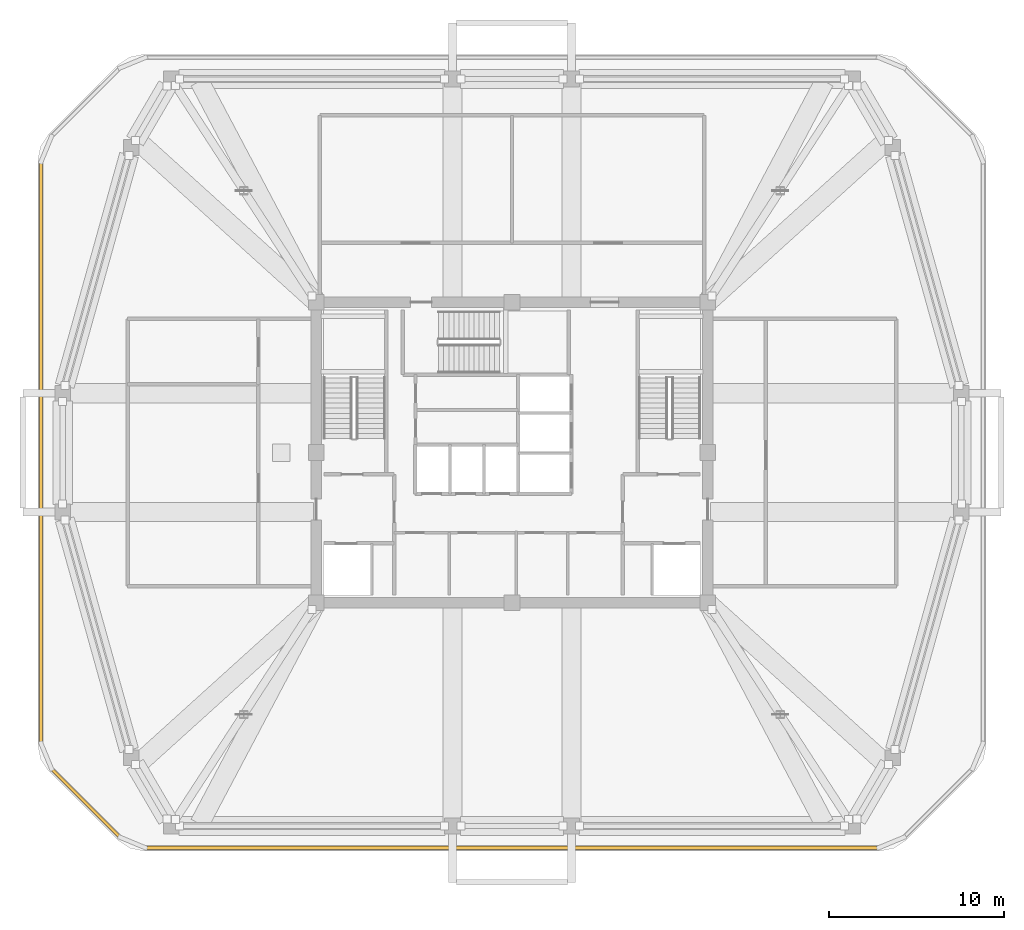
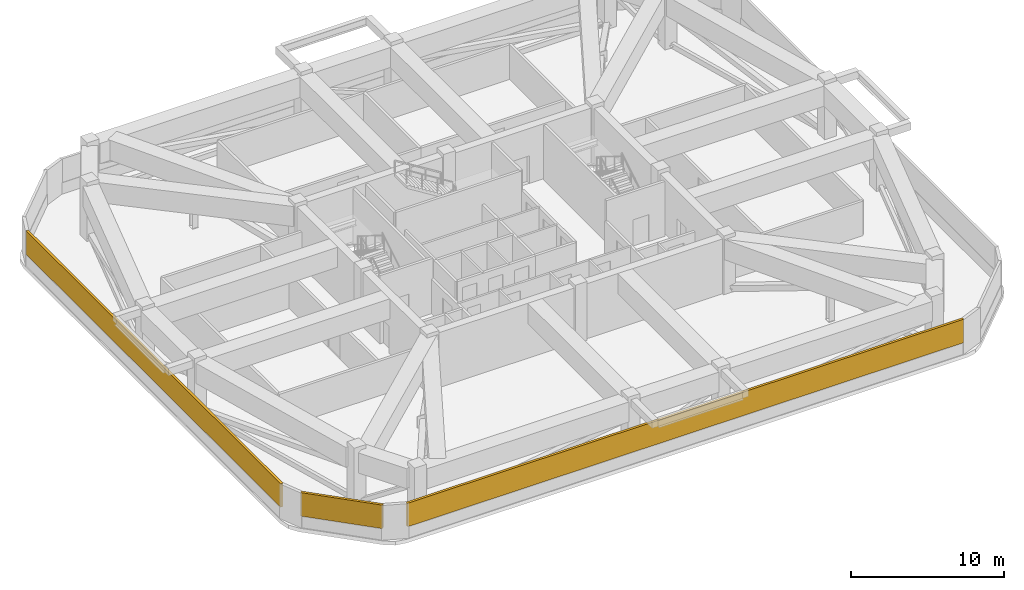
# One storey, part 6 of 9: 3 shading devices.
"""IFC4 building model written with IfcOpenShell, lengths in metres."""

from ifc_helpers import new_model, si_unit, derived_unit, direction, frame, origin, origin_2d, place, context, subcontext, project, spatial, rectangle, extrude, material, layer, layer_set, type_object, element, save


model = new_model("IFC4")

# Units and contexts
model_context = context("Model", 3, precision=1e-05, world=origin(), true_north=direction((0.0, 1.0)))
body_context = subcontext(model_context, "Body", "Model", "MODEL_VIEW")
ifc_project = project(units=[si_unit("LENGTHUNIT", "METRE"), si_unit("AREAUNIT", "SQUARE_METRE"), si_unit("VOLUMEUNIT", "CUBIC_METRE"), si_unit("PLANEANGLEUNIT", "RADIAN"), si_unit("MASSUNIT", "GRAM", prefix="KILO"), derived_unit("THERMALTRANSMITTANCEUNIT", [(si_unit("POWERUNIT", "WATT"), 1), (si_unit("LENGTHUNIT", "METRE"), -2), (si_unit("THERMODYNAMICTEMPERATUREUNIT", "KELVIN"), -1)])], contexts=[model_context])

# Site, building, storey
site_placement = place(None, origin())
site = spatial("IfcSite", under=ifc_project, at=site_placement, CompositionType="ELEMENT")
building_placement = place(site_placement, origin())
building = spatial("IfcBuilding", under=site, at=building_placement, Name="Koralith Skygarden Medical Center", CompositionType="ELEMENT")
storey_placement = place(building_placement, frame((0.0, 0.0, 232.3798828125)))
storey = spatial("IfcBuildingStorey", under=building, at=storey_placement, Name="L60", CompositionType="ELEMENT", Elevation=232.3798828125)

# Shading devices
ifc_material = material(Name="Aluminium 6063-T6", Category="aluminium")
ifc_layer = layer(ifc_material, 0.179931640625)
ifc_layer_set = layer_set([ifc_layer], Name="Aluminium 6063-T6")
shading_device_type = type_object("IfcShadingDeviceType", Name="Mechanical Plant Acoustic Hurricane Louvre", PredefinedType="JALOUSIE", material=ifc_layer_set)
shading_device_1_placement = place(storey_placement, frame((37.0, 3.280029296875, 0.900146484375), z_axis=(0.0, 0.0, 1.0), x_axis=(1.0, 0.0, 0.0)))
element("IfcShadingDevice", 1, at=shading_device_1_placement, inside=storey, type_object=shading_device_type, Name="L60 Plant Acoustic Hurricane Louvre S", PredefinedType="JALOUSIE", context=body_context, shape_type="SweptSolid", body=[
    extrude(rectangle(XDim=41.972900390625, YDim=0.179931640625, at=origin_2d()), origin(), (0.0, 0.0, 1.0), 1.8701171875),
])
shading_device_2_placement = place(storey_placement, frame((10.0380859375, 25.89990234375, 0.900146484375), z_axis=(0.0, 0.0, 1.0), x_axis=(0.0, -1.0, 0.0)))
element("IfcShadingDevice", 2, at=shading_device_2_placement, inside=storey, type_object=shading_device_type, Name="L60 Plant Acoustic Hurricane Louvre W", PredefinedType="JALOUSIE", context=body_context, shape_type="SweptSolid", body=[
    extrude(rectangle(XDim=33.2890625, YDim=0.179931640625, at=origin_2d()), origin(), (0.0, 0.0, 1.0), 1.8701171875),
])
shading_device_3_placement = place(storey_placement, frame((12.60107421875, 5.843017578125, 0.900146484375), z_axis=(0.0, 0.0, 1.0), x_axis=(0.707106781187, -0.707106781187, 0.0)))
element("IfcShadingDevice", 3, at=shading_device_3_placement, inside=storey, type_object=shading_device_type, Name="L60 Plant Acoustic Hurricane Louvre SW", PredefinedType="JALOUSIE", context=body_context, shape_type="SweptSolid", body=[
    extrude(rectangle(XDim=5.548095703125, YDim=0.179931640625, at=origin_2d()), origin(), (0.0, 0.0, 1.0), 1.8701171875),
])

save(model, "model.ifc")
